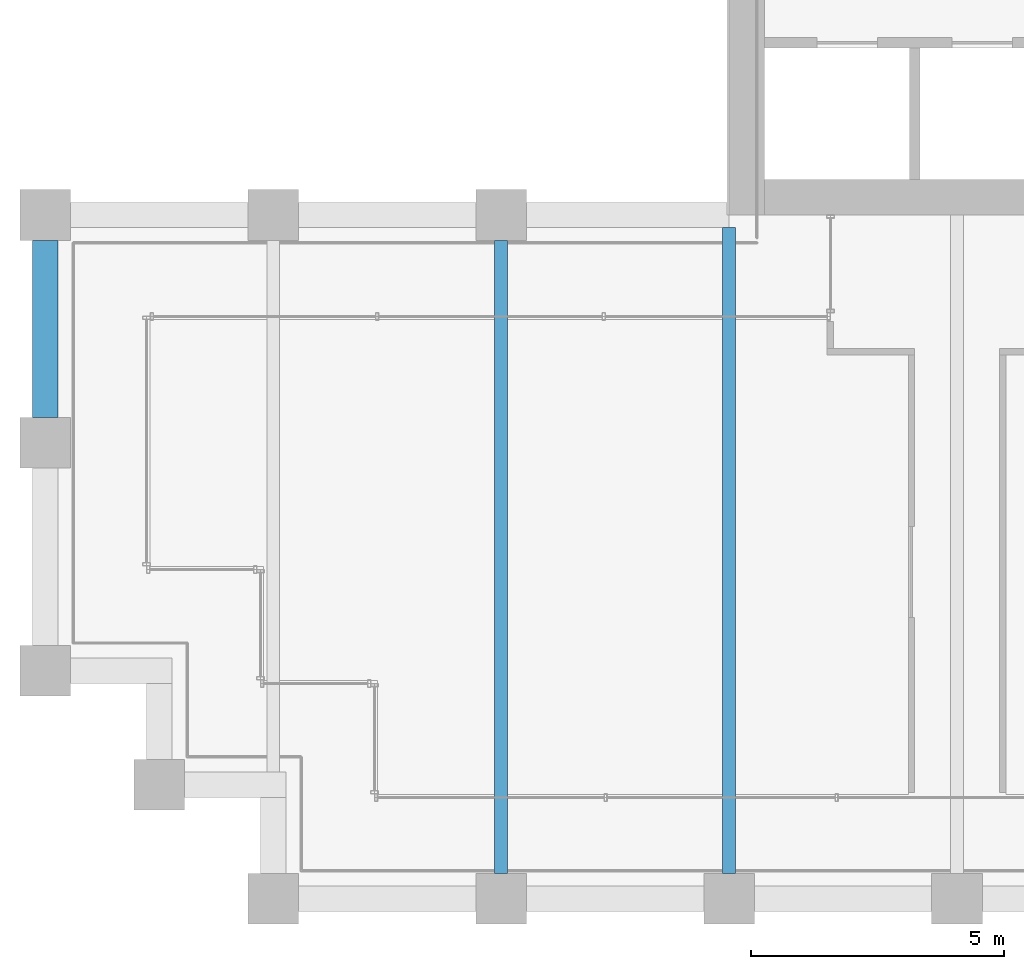
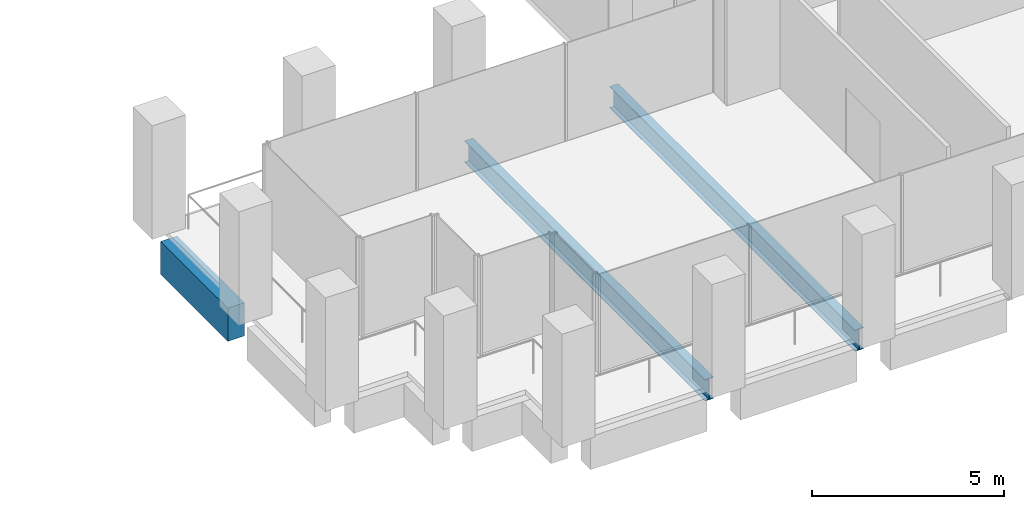
# One storey, part 4 of 46: 3 beams.
"""IFC4 building model written with IfcOpenShell, lengths in metres."""

from ifc_helpers import new_model, si_unit, direction, frame, origin, origin_2d, place, context, subcontext, project, spatial, rectangle, i_section, extrude, material, material_profile, profile_set, type_object, element, save


model = new_model("IFC4")

# Units and contexts
model_context = context("Model", 3, precision=1e-05, world=origin(), true_north=direction((0.0, 1.0)))
body_context = subcontext(model_context, "Body", "Model", "MODEL_VIEW")
ifc_project = project(units=[si_unit("LENGTHUNIT", "METRE"), si_unit("AREAUNIT", "SQUARE_METRE"), si_unit("VOLUMEUNIT", "CUBIC_METRE"), si_unit("PLANEANGLEUNIT", "RADIAN"), si_unit("MASSUNIT", "GRAM", prefix="KILO")], contexts=[model_context])

# Site, building, storey
site_placement = place(None, origin())
site = spatial("IfcSite", under=ifc_project, at=site_placement, CompositionType="ELEMENT")
building_placement = place(site_placement, origin())
building = spatial("IfcBuilding", under=site, at=building_placement, Name="Altepetl Exchange Towers", CompositionType="ELEMENT")
storey_placement = place(building_placement, frame((0.0, 0.0, 135.199951171875)))
storey = spatial("IfcBuildingStorey", under=building, at=storey_placement, Name="L33", CompositionType="ELEMENT", Elevation=135.199951171875)

# Beams
ifc_material_1 = material(Name="Steel S355", Category="steel")
ifc_material_profile_1 = material_profile(ifc_material_1, i_section(OverallWidth=0.25390625, OverallDepth=0.68408203125, WebThickness=0.012451171875, FlangeThickness=0.018798828125, at=origin_2d()), Name="W27X94")
ifc_profile_set_1 = profile_set([ifc_material_profile_1], Name="Steel S355")
beam_type_1 = type_object("IfcBeamType", Name="Floor beam W27X94", PredefinedType="BEAM", material=ifc_profile_set_1)
beam_1_placement = place(storey_placement, frame((36.0, 27.5, -0.491943359375), z_axis=(0.0, 1.0, 0.0), x_axis=(-1.0, 0.0, 0.0)))
element("IfcBeam", 1, at=beam_1_placement, inside=storey, type_object=beam_type_1, Name="bm:A:L33:013", PredefinedType="BEAM", context=body_context, shape_type="SweptSolid", body=[
    extrude(i_section(OverallWidth=0.25390625, OverallDepth=0.68408203125, WebThickness=0.012451171875, FlangeThickness=0.018798828125, at=origin_2d()), origin(), (0.0, 0.0, 1.0), 12.5),
])
beam_2_placement = place(storey_placement, frame((40.5, 27.5, -0.491943359375), z_axis=(0.0, 1.0, 0.0), x_axis=(-1.0, 0.0, 0.0)))
element("IfcBeam", 2, at=beam_2_placement, inside=storey, type_object=beam_type_1, Name="bm:A:L33:014", PredefinedType="BEAM", context=body_context, shape_type="SweptSolid", body=[
    extrude(i_section(OverallWidth=0.25390625, OverallDepth=0.68408203125, WebThickness=0.012451171875, FlangeThickness=0.018798828125, at=origin_2d()), origin(), (0.0, 0.0, 1.0), 12.75),
])
ifc_material_2 = material(Name="Concrete C50/60 precast with cantera blanca facing", Category="concrete")
ifc_material_profile_2 = material_profile(ifc_material_2, rectangle(XDim=0.5, YDim=1.050048828125, at=origin_2d()), Name="500 x 1050")
ifc_profile_set_2 = profile_set([ifc_material_profile_2], Name="Concrete C50/60 precast with cantera blanca facing")
beam_type_2 = type_object("IfcBeamType", Name="Spandrel beam 500x1050 cantera blanca", PredefinedType="SPANDREL", material=ifc_profile_set_2)
beam_3_placement = place(storey_placement, frame((27.0, 40.0, -0.675048828125), z_axis=(0.0, -1.0, 0.0), x_axis=(1.0, 0.0, 0.0)))
element("IfcBeam", 3, at=beam_3_placement, inside=storey, type_object=beam_type_2, Name="sp:A:L33:036", PredefinedType="SPANDREL", context=body_context, shape_type="SweptSolid", body=[
    extrude(rectangle(XDim=0.5, YDim=1.050048828125, at=origin_2d()), origin(), (0.0, 0.0, 1.0), 3.5),
])

save(model, "model.ifc")
